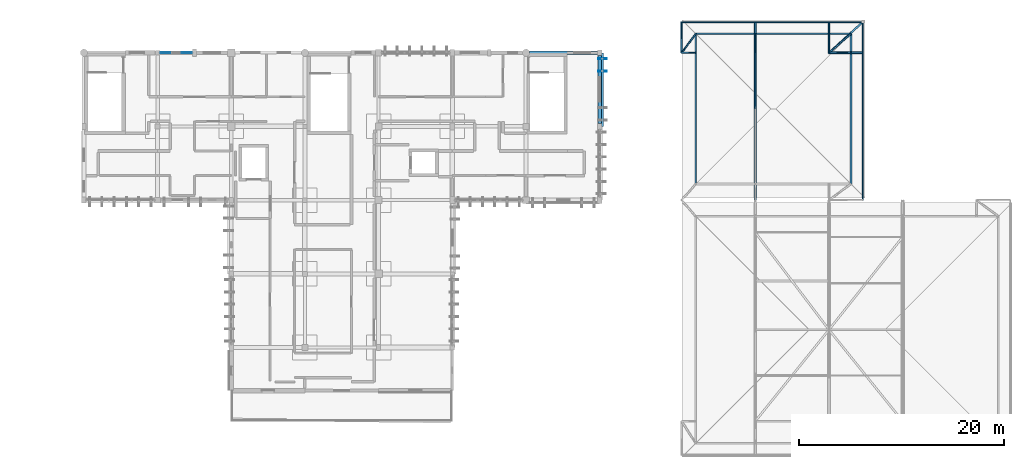
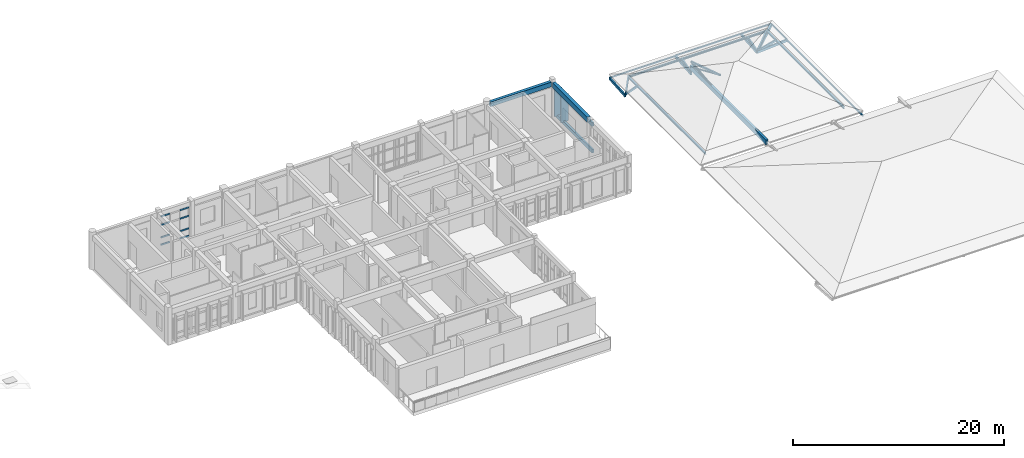
# One storey, part 9 of 19: 36 members, 5 beams, 1 element without a shape of its own.
"""IFC4 building model written with IfcOpenShell, lengths in metres."""

from ifc_helpers import new_model, si_unit, direction, frame, origin, origin_2d, place, context, subcontext, project, spatial, rectangle, hollow_rectangle, hollow_circle, i_section, extrude, material, material_profile, profile_set, type_object, element, aggregate, save


model = new_model("IFC4")

# Units and contexts
model_context = context("Model", 3, precision=1e-05, world=origin(), true_north=direction((0.0, 1.0)))
body_context = subcontext(model_context, "Body", "Model", "MODEL_VIEW")
ifc_project = project(units=[si_unit("LENGTHUNIT", "METRE"), si_unit("AREAUNIT", "SQUARE_METRE"), si_unit("VOLUMEUNIT", "CUBIC_METRE"), si_unit("PLANEANGLEUNIT", "RADIAN"), si_unit("MASSUNIT", "GRAM", prefix="KILO")], contexts=[model_context])

# Site, building, storey
site_placement = place(None, origin())
site = spatial("IfcSite", under=ifc_project, at=site_placement, CompositionType="ELEMENT")
building_placement = place(site_placement, origin())
building = spatial("IfcBuilding", under=site, at=building_placement, Name="Steenspoor Specialist Clinic", CompositionType="ELEMENT")
storey_placement = place(building_placement, frame((0.0, 0.0, 21.60009765625)))
storey = spatial("IfcBuildingStorey", under=building, at=storey_placement, Name="L05", CompositionType="ELEMENT", Elevation=21.60009765625)

# Beams
ifc_material_1 = material(Name="Glulam GL28h", Category="wood")
ifc_material_profile_1 = material_profile(ifc_material_1, rectangle(XDim=0.199951171875, YDim=0.43994140625, at=origin_2d()), Name="GL28H-200X440")
ifc_profile_set_1 = profile_set([ifc_material_profile_1], Name="Glulam GL28h")
beam_type_1 = type_object("IfcBeamType", Name="BM-GL-200X440", PredefinedType="BEAM", material=ifc_profile_set_1)
for number, where, z_axis, x_axis, name in (
    (1, (110.280029296875, 108.35009765625, 0.139892578125), (0.0, -1.0, 0.0), (1.0, 0.0, 0.0), "Timber Screen Tie Rail V4 L05 136"),
    (2, (110.280029296875, 108.35009765625, 3.22998046875), (0.0, -1.0, 0.0), (1.0, 0.0, 0.0), "Timber Screen Tie Rail V4 L05 137"),
):
    element("IfcBeam", number, at=place(storey_placement, frame(where, z_axis=z_axis, x_axis=x_axis)), inside=storey, type_object=beam_type_1, Name=name, PredefinedType="BEAM", context=body_context, shape_type="SweptSolid", body=[
        extrude(rectangle(XDim=0.199951171875, YDim=0.43994140625, at=origin_2d()), origin(), (0.0, 0.0, 1.0), 7.2001953125),
    ])
ifc_material_profile_2 = material_profile(ifc_material_1, rectangle(XDim=0.239990234375, YDim=0.56005859375, at=origin_2d()), Name="GL28H-240X560")
ifc_profile_set_2 = profile_set([ifc_material_profile_2], Name="Glulam GL28h")
beam_type_2 = type_object("IfcBeamType", Name="BM-GL-240X560", PredefinedType="BEAM", material=ifc_profile_set_2)
beam_1_placement = place(storey_placement, frame((125.199951171875, 93.949951171875, 0.2998046875), z_axis=(0.0, 1.0, 0.0), x_axis=(-1.0, 0.0, 0.0)))
element("IfcBeam", 3, at=beam_1_placement, inside=storey, type_object=beam_type_2, Name="ROOF TRUSS Bottom Tie Chord V6N 2", PredefinedType="BEAM", context=body_context, shape_type="SweptSolid", body=[
    extrude(rectangle(XDim=0.239990234375, YDim=0.56005859375, at=origin_2d()), origin(), (0.0, 0.0, 1.0), 14.400146484375),
])
ifc_material_2 = material(Name="Concrete C35/45", Category="concrete")
ifc_material_profile_3 = material_profile(ifc_material_2, rectangle(XDim=0.35009765625, YDim=0.580078125, at=origin_2d()), Name="RC-BM-350X580")
ifc_profile_set_3 = profile_set([ifc_material_profile_3], Name="Concrete C35/45")
beam_type_3 = type_object("IfcBeamType", Name="BM-RC-350X580", PredefinedType="BEAM", material=ifc_profile_set_3)
beam_2_placement = place(storey_placement, frame((110.0, 101.445068359375, 3.744873046875), z_axis=(0.0, 1.0, 0.0), x_axis=(-1.0, 0.0, 0.0)))
element("IfcBeam", 4, at=beam_2_placement, inside=storey, type_object=beam_type_3, Name="BM-V4-L05-Y1051", PredefinedType="BEAM", context=body_context, shape_type="SweptSolid", body=[
    extrude(rectangle(XDim=0.35009765625, YDim=0.580078125, at=origin_2d()), origin(), (0.0, 0.0, 1.0), 6.635009765625),
])

# Curtain wall, members
ifc_material_3 = material(Name="Thermally broken aluminium and low-emissivity glass", Category="aluminium")
curtain_wall_type = type_object("IfcCurtainWallType", Name="CW-TYP-360X355", PredefinedType="USERDEFINED", material=ifc_material_3)
curtain_wall_placement = place(storey_placement, origin())
curtain_wall = element("IfcCurtainWall", 5, at=curtain_wall_placement, inside=storey, type_object=curtain_wall_type, Name="Unitised Curtain Wall CW-V4-L05-134", ObjectType="UNITISED GLAZING", PredefinedType="USERDEFINED")
ifc_material_4 = material(Name="Thermally broken aluminium 6063-T6", Category="aluminium")
ifc_material_profile_4 = material_profile(ifc_material_4, rectangle(XDim=0.090087890625, YDim=0.175048828125, at=origin_2d()), Name="CWT-90X175")
ifc_profile_set_4 = profile_set([ifc_material_profile_4], Name="Thermally broken aluminium 6063-T6")
member_type_1 = type_object("IfcMemberType", Name="CW-TRAN-90X175", PredefinedType="USERDEFINED", material=ifc_profile_set_4)
member_1_placement = place(storey_placement, frame((67.094970703125, 108.35009765625, 0.044921875), z_axis=(1.0, 0.0, 0.0), x_axis=(0.0, 1.0, 0.0)))
member_1 = element("IfcMember", 6, at=member_1_placement, type_object=member_type_1, Name="CW-14 transom 1.1", ObjectType="TRANSOM", PredefinedType="USERDEFINED", context=body_context, shape_type="SweptSolid", body=[
    extrude(rectangle(XDim=0.090087890625, YDim=0.175048828125, at=origin_2d()), origin(), (0.0, 0.0, 1.0), 0.956787109375),
])
member_2_placement = place(storey_placement, frame((67.094970703125, 108.35009765625, 0.89990234375), z_axis=(1.0, 0.0, 0.0), x_axis=(0.0, 1.0, 0.0)))
member_2 = element("IfcMember", 7, at=member_2_placement, type_object=member_type_1, Name="CW-14 transom 1.2", ObjectType="TRANSOM", PredefinedType="USERDEFINED", context=body_context, shape_type="SweptSolid", body=[
    extrude(rectangle(XDim=0.090087890625, YDim=0.175048828125, at=origin_2d()), origin(), (0.0, 0.0, 1.0), 0.956787109375),
])
member_3_placement = place(storey_placement, frame((67.094970703125, 108.35009765625, 2.349853515625), z_axis=(1.0, 0.0, 0.0), x_axis=(0.0, 1.0, 0.0)))
member_3 = element("IfcMember", 8, at=member_3_placement, type_object=member_type_1, Name="CW-14 transom 1.3", ObjectType="TRANSOM", PredefinedType="USERDEFINED", context=body_context, shape_type="SweptSolid", body=[
    extrude(rectangle(XDim=0.090087890625, YDim=0.175048828125, at=origin_2d()), origin(), (0.0, 0.0, 1.0), 0.956787109375),
])
member_4_placement = place(storey_placement, frame((67.094970703125, 108.35009765625, 3.3349609375), z_axis=(1.0, 0.0, 0.0), x_axis=(0.0, 1.0, 0.0)))
member_4 = element("IfcMember", 9, at=member_4_placement, type_object=member_type_1, Name="CW-14 transom 1.4", ObjectType="TRANSOM", PredefinedType="USERDEFINED", context=body_context, shape_type="SweptSolid", body=[
    extrude(rectangle(XDim=0.090087890625, YDim=0.175048828125, at=origin_2d()), origin(), (0.0, 0.0, 1.0), 0.956787109375),
])
member_5_placement = place(storey_placement, frame((69.183349609375, 108.35009765625, 0.044921875), z_axis=(1.0, 0.0, 0.0), x_axis=(0.0, 1.0, 0.0)))
member_5 = element("IfcMember", 10, at=member_5_placement, type_object=member_type_1, Name="CW-14 transom 3.1", ObjectType="TRANSOM", PredefinedType="USERDEFINED", context=body_context, shape_type="SweptSolid", body=[
    extrude(rectangle(XDim=0.090087890625, YDim=0.175048828125, at=origin_2d()), origin(), (0.0, 0.0, 1.0), 0.95654296875),
])
member_6_placement = place(storey_placement, frame((69.183349609375, 108.35009765625, 0.89990234375), z_axis=(1.0, 0.0, 0.0), x_axis=(0.0, 1.0, 0.0)))
member_6 = element("IfcMember", 11, at=member_6_placement, type_object=member_type_1, Name="CW-14 transom 3.2", ObjectType="TRANSOM", PredefinedType="USERDEFINED", context=body_context, shape_type="SweptSolid", body=[
    extrude(rectangle(XDim=0.090087890625, YDim=0.175048828125, at=origin_2d()), origin(), (0.0, 0.0, 1.0), 0.95654296875),
])
member_7_placement = place(storey_placement, frame((69.183349609375, 108.35009765625, 2.349853515625), z_axis=(1.0, 0.0, 0.0), x_axis=(0.0, 1.0, 0.0)))
member_7 = element("IfcMember", 12, at=member_7_placement, type_object=member_type_1, Name="CW-14 transom 3.3", ObjectType="TRANSOM", PredefinedType="USERDEFINED", context=body_context, shape_type="SweptSolid", body=[
    extrude(rectangle(XDim=0.090087890625, YDim=0.175048828125, at=origin_2d()), origin(), (0.0, 0.0, 1.0), 0.95654296875),
])
member_8_placement = place(storey_placement, frame((69.183349609375, 108.35009765625, 3.3349609375), z_axis=(1.0, 0.0, 0.0), x_axis=(0.0, 1.0, 0.0)))
member_8 = element("IfcMember", 13, at=member_8_placement, type_object=member_type_1, Name="CW-14 transom 3.4", ObjectType="TRANSOM", PredefinedType="USERDEFINED", context=body_context, shape_type="SweptSolid", body=[
    extrude(rectangle(XDim=0.090087890625, YDim=0.175048828125, at=origin_2d()), origin(), (0.0, 0.0, 1.0), 0.95654296875),
])
aggregate(curtain_wall, [member_1, member_2, member_3, member_4, member_5, member_6, member_7, member_8])

# Members
ifc_material_5 = material(Name="Steel A500 Grade C", Category="steel")
ifc_material_profile_5 = material_profile(ifc_material_5, hollow_circle(Radius=0.084228515625, WallThickness=0.007080078125, at=origin_2d()), Name="CHS168X7.1")
ifc_profile_set_5 = profile_set([ifc_material_profile_5], Name="Steel A500 Grade C")
member_type_2 = type_object("IfcMemberType", Name="MEM-BRACE-CHS168", PredefinedType="BRACE", material=ifc_profile_set_5)
member_9_placement = place(storey_placement, frame((125.199951171875, 102.864990234375, 2.675537109375), z_axis=(0.0, 0.917625644478, -0.397445815926), x_axis=(-1.0, 0.0, 0.0)))
element("IfcMember", 14, at=member_9_placement, inside=storey, type_object=member_type_2, Name="ROOF TRUSS Web Brace V6N 2.2", PredefinedType="BRACE", context=body_context, shape_type="SweptSolid", body=[
    extrude(hollow_circle(Radius=0.084228515625, WallThickness=0.007080078125, at=origin_2d()), origin(), (0.0, 0.0, 1.0), 5.9775390625),
])
ifc_material_profile_6 = material_profile(ifc_material_5, hollow_rectangle(XDim=0.177734375, YDim=0.177734375, WallThickness=0.0087890625, at=origin_2d()), Name="HSS178X178X9.5")
ifc_profile_set_6 = profile_set([ifc_material_profile_6], Name="Steel A500 Grade C")
member_type_3 = type_object("IfcMemberType", Name="MEM-CHORD-H178", PredefinedType="CHORD", material=ifc_profile_set_6)
member_10_placement = place(storey_placement, frame((125.199951171875, 102.864990234375, 2.675537109375), z_axis=(0.0, 0.951862234002, -0.30652616117), x_axis=(-1.0, 0.0, 0.0)))
element("IfcMember", 15, at=member_10_placement, inside=storey, type_object=member_type_3, Name="ROOF TRUSS Top Chord V6N 2.2", PredefinedType="CHORD", context=body_context, shape_type="SweptSolid", body=[
    extrude(hollow_rectangle(XDim=0.177734375, YDim=0.177734375, WallThickness=0.0087890625, at=origin_2d()), origin(), (0.0, 0.0, 1.0), 5.762451171875),
])
ifc_material_profile_7 = material_profile(ifc_material_5, hollow_rectangle(XDim=0.1015625, YDim=0.15234375, WallThickness=0.005859375, at=origin_2d()), Name="HSS152X102X6.4")
ifc_profile_set_7 = profile_set([ifc_material_profile_7], Name="Steel A500 Grade C")
member_type_4 = type_object("IfcMemberType", Name="MEM-PURLIN-H152", PredefinedType="PURLIN", material=ifc_profile_set_7)
for number, where, z_axis, x_axis, name in (
    (16, (118.0, 111.35009765625, -0.243408203125), (1.0, 0.0, 0.0), (0.0, 1.0, 0.0), "ROOF TRUSS Eave Fascia 551"),
    (17, (125.199951171875, 111.35009765625, -0.195068359375), (1.0, 0.0, 0.0), (0.0, 1.0, 0.0), "ROOF TRUSS Eave Fascia 552"),
):
    element("IfcMember", number, at=place(storey_placement, frame(where, z_axis=z_axis, x_axis=x_axis)), inside=storey, type_object=member_type_4, Name=name, PredefinedType="PURLIN", context=body_context, shape_type="SweptSolid", body=[
        extrude(hollow_rectangle(XDim=0.1015625, YDim=0.15234375, WallThickness=0.005859375, at=origin_2d()), origin(), (0.0, 0.0, 1.0), 7.199951171875),
    ])
member_11_placement = place(storey_placement, frame((132.39990234375, 111.35009765625, -0.195068359375), z_axis=(1.0, 0.0, 0.0), x_axis=(0.0, 1.0, 0.0)))
element("IfcMember", 18, at=member_11_placement, inside=storey, type_object=member_type_4, Name="ROOF TRUSS Eave Fascia 553", PredefinedType="PURLIN", context=body_context, shape_type="SweptSolid", body=[
    extrude(hollow_rectangle(XDim=0.1015625, YDim=0.15234375, WallThickness=0.005859375, at=origin_2d()), origin(), (0.0, 0.0, 1.0), 3.300048828125),
])
member_12_placement = place(storey_placement, frame((135.699951171875, 93.949951171875, -0.293212890625), z_axis=(0.0, 1.0, 0.0), x_axis=(-1.0, 0.0, 0.0)))
element("IfcMember", 19, at=member_12_placement, inside=storey, type_object=member_type_4, Name="ROOF TRUSS Eave Fascia 554", PredefinedType="PURLIN", context=body_context, shape_type="SweptSolid", body=[
    extrude(hollow_rectangle(XDim=0.1015625, YDim=0.15234375, WallThickness=0.005859375, at=origin_2d()), origin(), (0.0, 0.0, 1.0), 14.400146484375),
])
member_13_placement = place(storey_placement, frame((135.699951171875, 108.35009765625, -0.195068359375), z_axis=(0.0, 1.0, 0.0), x_axis=(-1.0, 0.0, 0.0)))
element("IfcMember", 20, at=member_13_placement, inside=storey, type_object=member_type_4, Name="ROOF TRUSS Eave Fascia 555", PredefinedType="PURLIN", context=body_context, shape_type="SweptSolid", body=[
    extrude(hollow_rectangle(XDim=0.1015625, YDim=0.15234375, WallThickness=0.005859375, at=origin_2d()), origin(), (0.0, 0.0, 1.0), 3.0),
])
ifc_material_6 = material(Name="Steel A992 Grade 50", Category="steel")
ifc_material_profile_8 = material_profile(ifc_material_6, i_section(OverallWidth=0.1650390625, OverallDepth=0.200927734375, WebThickness=0.006103515625, FlangeThickness=0.01025390625, at=origin_2d()), Name="W200X36")
ifc_profile_set_8 = profile_set([ifc_material_profile_8], Name="Steel A992 Grade 50")
member_type_5 = type_object("IfcMemberType", Name="MEM-PURLIN-W200", PredefinedType="PURLIN", material=ifc_profile_set_8)
member_14_placement = place(storey_placement, frame((119.3798828125, 110.199951171875, 0.06884765625), z_axis=(1.0, 0.0, 0.0), x_axis=(0.0, 1.0, 0.0)))
element("IfcMember", 21, at=member_14_placement, inside=storey, type_object=member_type_5, Name="ROOF TRUSS Knuckle Purlin 557", PredefinedType="PURLIN", context=body_context, shape_type="SweptSolid", body=[
    extrude(i_section(OverallWidth=0.1650390625, OverallDepth=0.200927734375, WebThickness=0.006103515625, FlangeThickness=0.01025390625, at=origin_2d()), origin(), (0.0, 0.0, 1.0), 5.820068359375),
])
member_15_placement = place(storey_placement, frame((125.199951171875, 110.199951171875, 0.06884765625), z_axis=(1.0, 0.0, 0.0), x_axis=(0.0, 1.0, 0.0)))
element("IfcMember", 22, at=member_15_placement, inside=storey, type_object=member_type_5, Name="ROOF TRUSS Knuckle Purlin 559", PredefinedType="PURLIN", context=body_context, shape_type="SweptSolid", body=[
    extrude(i_section(OverallWidth=0.1650390625, OverallDepth=0.200927734375, WebThickness=0.006103515625, FlangeThickness=0.01025390625, at=origin_2d()), origin(), (0.0, 0.0, 1.0), 7.199951171875),
])
member_16_placement = place(storey_placement, frame((132.39990234375, 110.199951171875, 0.06884765625), z_axis=(1.0, 0.0, 0.0), x_axis=(0.0, 1.0, 0.0)))
element("IfcMember", 23, at=member_16_placement, inside=storey, type_object=member_type_5, Name="ROOF TRUSS Knuckle Purlin 561", PredefinedType="PURLIN", context=body_context, shape_type="SweptSolid", body=[
    extrude(i_section(OverallWidth=0.1650390625, OverallDepth=0.200927734375, WebThickness=0.006103515625, FlangeThickness=0.01025390625, at=origin_2d()), origin(), (0.0, 0.0, 1.0), 2.150146484375),
])
member_17_placement = place(storey_placement, frame((119.3798828125, 95.530029296875, 0.06884765625), z_axis=(0.0, 1.0, 0.0), x_axis=(-1.0, 0.0, 0.0)))
element("IfcMember", 24, at=member_17_placement, inside=storey, type_object=member_type_5, Name="ROOF TRUSS Knuckle Purlin 562", PredefinedType="PURLIN", context=body_context, shape_type="SweptSolid", body=[
    extrude(i_section(OverallWidth=0.1650390625, OverallDepth=0.200927734375, WebThickness=0.006103515625, FlangeThickness=0.01025390625, at=origin_2d()), origin(), (0.0, 0.0, 1.0), 12.820068359375),
])
member_18_placement = place(storey_placement, frame((119.3798828125, 108.35009765625, 0.06884765625), z_axis=(0.0, 1.0, 0.0), x_axis=(-1.0, 0.0, 0.0)))
element("IfcMember", 25, at=member_18_placement, inside=storey, type_object=member_type_5, Name="ROOF TRUSS Knuckle Purlin 563", PredefinedType="PURLIN", context=body_context, shape_type="SweptSolid", body=[
    extrude(i_section(OverallWidth=0.1650390625, OverallDepth=0.200927734375, WebThickness=0.006103515625, FlangeThickness=0.01025390625, at=origin_2d()), origin(), (0.0, 0.0, 1.0), 1.849853515625),
])
member_19_placement = place(storey_placement, frame((134.550048828125, 95.530029296875, 0.06884765625), z_axis=(0.0, 1.0, 0.0), x_axis=(-1.0, 0.0, 0.0)))
element("IfcMember", 26, at=member_19_placement, inside=storey, type_object=member_type_5, Name="ROOF TRUSS Knuckle Purlin 564", PredefinedType="PURLIN", context=body_context, shape_type="SweptSolid", body=[
    extrude(i_section(OverallWidth=0.1650390625, OverallDepth=0.200927734375, WebThickness=0.006103515625, FlangeThickness=0.01025390625, at=origin_2d()), origin(), (0.0, 0.0, 1.0), 12.820068359375),
])
member_20_placement = place(storey_placement, frame((134.550048828125, 108.35009765625, 0.06884765625), z_axis=(0.0, 1.0, 0.0), x_axis=(-1.0, 0.0, 0.0)))
element("IfcMember", 27, at=member_20_placement, inside=storey, type_object=member_type_5, Name="ROOF TRUSS Knuckle Purlin 565", PredefinedType="PURLIN", context=body_context, shape_type="SweptSolid", body=[
    extrude(i_section(OverallWidth=0.1650390625, OverallDepth=0.200927734375, WebThickness=0.006103515625, FlangeThickness=0.01025390625, at=origin_2d()), origin(), (0.0, 0.0, 1.0), 1.849853515625),
])
ifc_material_profile_9 = material_profile(ifc_material_1, rectangle(XDim=0.139892578125, YDim=0.219970703125, at=origin_2d()), Name="GL28H-140X220")
ifc_profile_set_9 = profile_set([ifc_material_profile_9], Name="Glulam GL28h")
member_type_6 = type_object("IfcMemberType", Name="MEM-RAFTER-GL220", PredefinedType="RAFTER", material=ifc_profile_set_9)
for number, where, z_axis, x_axis, name in (
    (28, (125.199951171875, 108.35009765625, -0.338134765625), (0.0, 0.963410356163, 0.268030755021), (-1.0, 0.0, 0.0), "ROOF TRUSS Knuckle Rafter V6N 376"),
    (29, (132.39990234375, 108.35009765625, -0.338134765625), (0.0, 0.963410356163, 0.268030755021), (-1.0, 0.0, 0.0), "ROOF TRUSS Knuckle Rafter V6N 379"),
):
    element("IfcMember", number, at=place(storey_placement, frame(where, z_axis=z_axis, x_axis=x_axis)), inside=storey, type_object=member_type_6, Name=name, PredefinedType="RAFTER", context=body_context, shape_type="SweptSolid", body=[
        extrude(rectangle(XDim=0.139892578125, YDim=0.219970703125, at=origin_2d()), origin(), (0.0, 0.0, 1.0), 1.920166015625),
    ])
member_21_placement = place(storey_placement, frame((118.0, 108.35009765625, -0.331298828125), z_axis=(0.938467789517, 0.0, 0.345366773212), x_axis=(0.0, 1.0, 0.0)))
element("IfcMember", 30, at=member_21_placement, inside=storey, type_object=member_type_6, Name="ROOF TRUSS Knuckle Rafter V6N 380", PredefinedType="RAFTER", context=body_context, shape_type="SweptSolid", body=[
    extrude(rectangle(XDim=0.139892578125, YDim=0.219970703125, at=origin_2d()), origin(), (0.0, 0.0, 1.0), 1.470458984375),
])
member_22_placement = place(storey_placement, frame((132.39990234375, 108.35009765625, -0.404296875), z_axis=(0.965398455833, 0.0, 0.260779258139), x_axis=(0.0, 1.0, 0.0)))
element("IfcMember", 31, at=member_22_placement, inside=storey, type_object=member_type_6, Name="ROOF TRUSS Knuckle Rafter V6N 383", PredefinedType="RAFTER", context=body_context, shape_type="SweptSolid", body=[
    extrude(rectangle(XDim=0.139892578125, YDim=0.219970703125, at=origin_2d()), origin(), (0.0, 0.0, 1.0), 2.227294921875),
])
member_23_placement = place(storey_placement, frame((118.0, 108.35009765625, -0.392822265625), z_axis=(0.580511917229, 0.778226963348, 0.23951765587), x_axis=(-0.801558727837, 0.597916052492, 0.0)))
element("IfcMember", 32, at=member_23_placement, inside=storey, type_object=member_type_6, Name="ROOF TRUSS Corner Knuckle Rafter V6N 385", PredefinedType="RAFTER", context=body_context, shape_type="SweptSolid", body=[
    extrude(rectangle(XDim=0.139892578125, YDim=0.219970703125, at=origin_2d()), origin(), (0.0, 0.0, 1.0), 2.376953125),
])
member_24_placement = place(storey_placement, frame((132.39990234375, 108.35009765625, -0.49853515625), z_axis=(0.737460373914, 0.634465453974, 0.231529230597), x_axis=(-0.652186705392, 0.758058375925, 0.0)))
element("IfcMember", 33, at=member_24_placement, inside=storey, type_object=member_type_6, Name="ROOF TRUSS Corner Knuckle Rafter V6N 388", PredefinedType="RAFTER", context=body_context, shape_type="SweptSolid", body=[
    extrude(rectangle(XDim=0.139892578125, YDim=0.219970703125, at=origin_2d()), origin(), (0.0, 0.0, 1.0), 2.91552734375),
])
ifc_material_profile_10 = material_profile(ifc_material_1, rectangle(XDim=0.159912109375, YDim=0.280029296875, at=origin_2d()), Name="GL28H-160X280")
ifc_profile_set_10 = profile_set([ifc_material_profile_10], Name="Glulam GL28h")
member_type_7 = type_object("IfcMemberType", Name="MEM-RAFTER-GL280", PredefinedType="RAFTER", material=ifc_profile_set_10)
for number, where, z_axis, x_axis, name in (
    (34, (118.0, 108.35009765625, -0.540283203125), (0.0, 0.996993561113, 0.077484444243), (-1.0, 0.0, 0.0), "ROOF TRUSS Flared Eave Glulam Outrigger V6N 373"),
    (35, (125.199951171875, 108.35009765625, -0.5), (0.0, 0.996999825732, 0.077403795064), (-1.0, 0.0, 0.0), "ROOF TRUSS Flared Eave Glulam Outrigger V6N 375"),
    (36, (132.39990234375, 108.35009765625, -0.5), (0.0, 0.996999825732, 0.077403795064), (-1.0, 0.0, 0.0), "ROOF TRUSS Flared Eave Glulam Outrigger V6N 378"),
):
    element("IfcMember", number, at=place(storey_placement, frame(where, z_axis=z_axis, x_axis=x_axis)), inside=storey, type_object=member_type_7, Name=name, PredefinedType="RAFTER", context=body_context, shape_type="SweptSolid", body=[
        extrude(rectangle(XDim=0.159912109375, YDim=0.280029296875, at=origin_2d()), origin(), (0.0, 0.0, 1.0), 3.009033203125),
    ])
member_25_placement = place(storey_placement, frame((132.39990234375, 108.35009765625, -0.5), z_axis=(0.997518653982, 0.0, 0.070402663009), x_axis=(0.0, 1.0, 0.0)))
element("IfcMember", 37, at=member_25_placement, inside=storey, type_object=member_type_7, Name="ROOF TRUSS Flared Eave Glulam Outrigger V6N 382", PredefinedType="RAFTER", context=body_context, shape_type="SweptSolid", body=[
    extrude(rectangle(XDim=0.159912109375, YDim=0.280029296875, at=origin_2d()), origin(), (0.0, 0.0, 1.0), 3.308349609375),
])
ifc_material_profile_11 = material_profile(ifc_material_1, rectangle(XDim=0.179931640625, YDim=0.360107421875, at=origin_2d()), Name="GL28H-180X360")
ifc_profile_set_11 = profile_set([ifc_material_profile_11], Name="Glulam GL28h")
member_type_8 = type_object("IfcMemberType", Name="MEM-RAFTER-GL360", PredefinedType="RAFTER", material=ifc_profile_set_11)
member_26_placement = place(storey_placement, frame((132.39990234375, 108.35009765625, -0.5), z_axis=(0.739262773396, 0.672047122845, 0.042932697871), x_axis=(-0.672667344567, 0.739945027386, 0.0)))
element("IfcMember", 38, at=member_26_placement, inside=storey, type_object=member_type_8, Name="ROOF TRUSS Corner Hip Outrigger V6N 387", PredefinedType="RAFTER", context=body_context, shape_type="SweptSolid", body=[
    extrude(rectangle(XDim=0.179931640625, YDim=0.360107421875, at=origin_2d()), origin(), (0.0, 0.0, 1.0), 4.4638671875),
])
ifc_material_profile_12 = material_profile(ifc_material_1, rectangle(XDim=0.090087890625, YDim=0.85009765625, at=origin_2d()), Name="GL28H-90X850")
ifc_profile_set_12 = profile_set([ifc_material_profile_12], Name="Glulam GL28h")
member_type_9 = type_object("IfcMemberType", Name="MEM-SCREEN-GL850", PredefinedType="STRUT", material=ifc_profile_set_12)
for number, where, z_axis, x_axis, name in (
    (39, (110.280029296875, 107.762451171875, 0.27001953125), (0.0, 0.0, 1.0), (0.0, -1.0, 0.0), "Glulam Timber Screen Fin SCR-FIN-V4-L05-0138"),
    (40, (110.280029296875, 106.5625, 0.27001953125), (0.0, 0.0, 1.0), (0.0, -1.0, 0.0), "Glulam Timber Screen Fin SCR-FIN-V4-L05-0139"),
):
    element("IfcMember", number, at=place(storey_placement, frame(where, z_axis=z_axis, x_axis=x_axis)), inside=storey, type_object=member_type_9, Name=name, PredefinedType="STRUT", context=body_context, shape_type="SweptSolid", body=[
        extrude(rectangle(XDim=0.090087890625, YDim=0.85009765625, at=origin_2d()), origin(), (0.0, 0.0, 1.0), 3.099853515625),
    ])
ifc_material_profile_13 = material_profile(ifc_material_5, hollow_circle(Radius=0.109619140625, WallThickness=0.00830078125, at=origin_2d()), Name="CHS219X8.2")
ifc_profile_set_13 = profile_set([ifc_material_profile_13], Name="Steel A500 Grade C")
member_type_10 = type_object("IfcMemberType", Name="MEM-STRUT-CHS219", PredefinedType="STRUT", material=ifc_profile_set_13)
member_27_placement = place(storey_placement, frame((125.199951171875, 102.864990234375, 0.2998046875), z_axis=(0.0, 0.993885353014, 0.110416960036), x_axis=(-1.0, 0.0, 0.0)))
element("IfcMember", 41, at=member_27_placement, inside=storey, type_object=member_type_10, Name="ROOF TRUSS Web Strut V6N 2.2", PredefinedType="STRUT", context=body_context, shape_type="SweptSolid", body=[
    extrude(hollow_circle(Radius=0.109619140625, WallThickness=0.00830078125, at=origin_2d()), origin(), (0.0, 0.0, 1.0), 5.518798828125),
])

# Beam
ifc_material_profile_14 = material_profile(ifc_material_2, rectangle(XDim=0.320068359375, YDim=0.5400390625, at=origin_2d()), Name="RC-SP-320X540")
ifc_profile_set_14 = profile_set([ifc_material_profile_14], Name="Concrete C35/45")
beam_type_4 = type_object("IfcBeamType", Name="SP-RC-320X540", PredefinedType="SPANDREL", material=ifc_profile_set_14)
beam_3_placement = place(storey_placement, frame((103.14501953125, 108.35009765625, 3.764892578125), z_axis=(1.0, 0.0, 0.0), x_axis=(0.0, 1.0, 0.0)))
element("IfcBeam", 42, at=beam_3_placement, inside=storey, type_object=beam_type_4, Name="BM-V4-L05-X1027", PredefinedType="SPANDREL", context=body_context, shape_type="SweptSolid", body=[
    extrude(rectangle(XDim=0.320068359375, YDim=0.5400390625, at=origin_2d()), origin(), (0.0, 0.0, 1.0), 6.659912109375),
])

save(model, "model.ifc")
